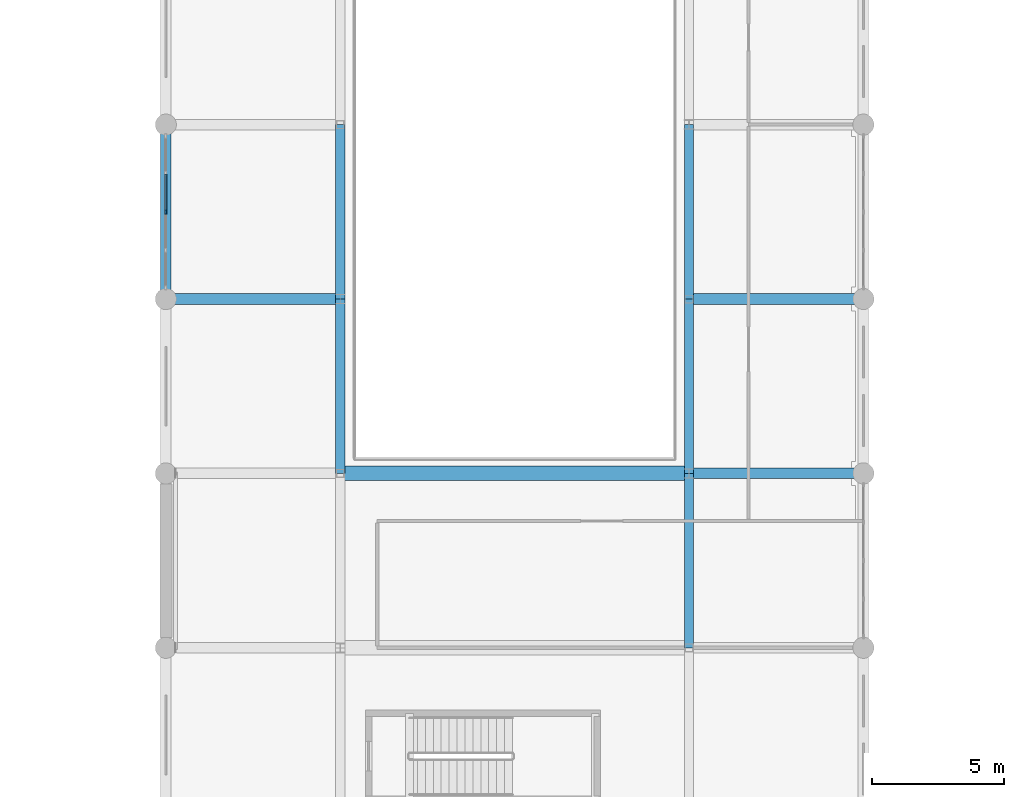
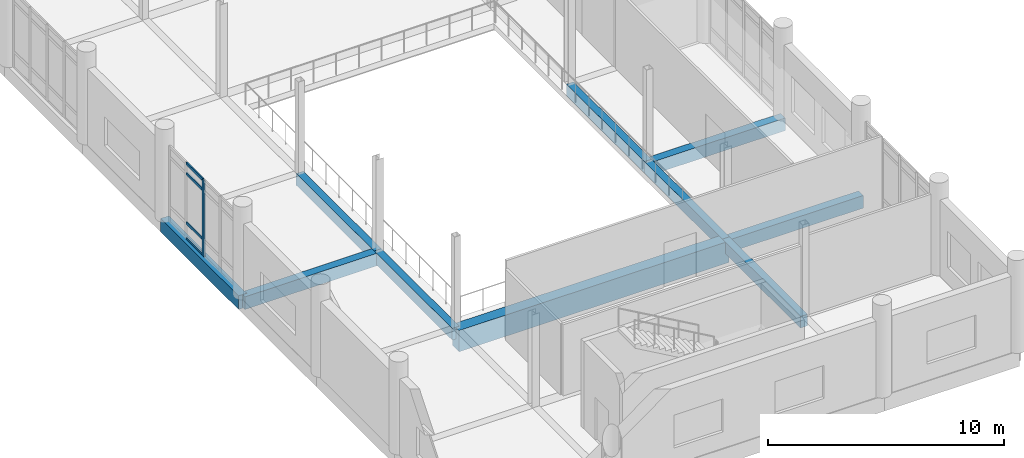
# One storey, part 14 of 101: 10 beams, 5 members, 1 element without a shape of its own.
"""IFC4 building model written with IfcOpenShell, lengths in metres."""

from ifc_helpers import new_model, si_unit, direction, frame, origin, origin_2d, place, context, subcontext, project, spatial, rectangle, extrude, material, material_profile, profile_set, type_object, element, aggregate, save


model = new_model("IFC4")

# Units and contexts
model_context = context("Model", 3, precision=1e-05, world=origin(), true_north=direction((0.0, 1.0)))
body_context = subcontext(model_context, "Body", "Model", "MODEL_VIEW")
ifc_project = project(units=[si_unit("LENGTHUNIT", "METRE"), si_unit("AREAUNIT", "SQUARE_METRE"), si_unit("VOLUMEUNIT", "CUBIC_METRE"), si_unit("PLANEANGLEUNIT", "RADIAN"), si_unit("MASSUNIT", "GRAM", prefix="KILO")], contexts=[model_context])

# Site, building, storey
site_placement = place(None, origin())
site = spatial("IfcSite", under=ifc_project, at=site_placement, CompositionType="ELEMENT")
building_placement = place(site_placement, origin())
building = spatial("IfcBuilding", under=site, at=building_placement, Name="Dornvale Research Institute", CompositionType="ELEMENT")
storey_placement = place(building_placement, frame((0.0, 0.0, 10.199951171875)))
storey = spatial("IfcBuildingStorey", under=building, at=storey_placement, Name="L02", CompositionType="ELEMENT", Elevation=10.199951171875)

# Beams
ifc_material_1 = material(Name="Concrete f'c 45 MPa (C35/45)", Category="concrete")
ifc_material_profile_1 = material_profile(ifc_material_1, rectangle(XDim=0.35009765625, YDim=0.60009765625, at=origin_2d()), Name="RC 350x600")
ifc_profile_set_1 = profile_set([ifc_material_profile_1], Name="Concrete f'c 45 MPa (C35/45)")
beam_type_1 = type_object("IfcBeamType", Name="Beam_RC350x600_Floor", PredefinedType="BEAM", material=ifc_profile_set_1)
beam_1_placement = place(storey_placement, frame((46.199951171875, 52.800048828125, -0.300048828125), z_axis=(0.0, 1.0, 0.0), x_axis=(-1.0, 0.0, 0.0)))
element("IfcBeam", 1, at=beam_1_placement, inside=storey, type_object=beam_type_1, Name="L02 transverse girder #814", PredefinedType="BEAM", context=body_context, shape_type="SweptSolid", body=[
    extrude(rectangle(XDim=0.35009765625, YDim=0.60009765625, at=origin_2d()), origin(), (0.0, 0.0, 1.0), 6.599853515625),
])
for number, where, z_axis, x_axis, name in (
    (2, (46.199951171875, 59.39990234375, -0.300048828125), (0.0, 1.0, 0.0), (-1.0, 0.0, 0.0), "L02 transverse girder #815"),
    (3, (59.39990234375, 46.199951171875, -0.300048828125), (0.0, 1.0, 0.0), (-1.0, 0.0, 0.0), "L02 transverse girder #820"),
):
    element("IfcBeam", number, at=place(storey_placement, frame(where, z_axis=z_axis, x_axis=x_axis)), inside=storey, type_object=beam_type_1, Name=name, PredefinedType="BEAM", context=body_context, shape_type="SweptSolid", body=[
        extrude(rectangle(XDim=0.35009765625, YDim=0.60009765625, at=origin_2d()), origin(), (0.0, 0.0, 1.0), 6.60009765625),
    ])
beam_2_placement = place(storey_placement, frame((59.39990234375, 52.800048828125, -0.300048828125), z_axis=(0.0, 1.0, 0.0), x_axis=(-1.0, 0.0, 0.0)))
element("IfcBeam", 4, at=beam_2_placement, inside=storey, type_object=beam_type_1, Name="L02 transverse girder #821", PredefinedType="BEAM", context=body_context, shape_type="SweptSolid", body=[
    extrude(rectangle(XDim=0.35009765625, YDim=0.60009765625, at=origin_2d()), origin(), (0.0, 0.0, 1.0), 6.599853515625),
])
beam_3_placement = place(storey_placement, frame((59.39990234375, 59.39990234375, -0.300048828125), z_axis=(0.0, 1.0, 0.0), x_axis=(-1.0, 0.0, 0.0)))
element("IfcBeam", 5, at=beam_3_placement, inside=storey, type_object=beam_type_1, Name="L02 transverse girder #822", PredefinedType="BEAM", context=body_context, shape_type="SweptSolid", body=[
    extrude(rectangle(XDim=0.35009765625, YDim=0.60009765625, at=origin_2d()), origin(), (0.0, 0.0, 1.0), 6.60009765625),
])
ifc_material_2 = material(Name="Concrete f'c 45 MPa (C35/45)", Category="concrete")
ifc_material_profile_2 = material_profile(ifc_material_2, rectangle(XDim=0.39990234375, YDim=0.64990234375, at=origin_2d()), Name="RC 400x650")
ifc_profile_set_2 = profile_set([ifc_material_profile_2], Name="Concrete f'c 45 MPa (C35/45)")
beam_type_2 = type_object("IfcBeamType", Name="Beam_RC400x650_Floor", PredefinedType="BEAM", material=ifc_profile_set_2)
beam_4_placement = place(storey_placement, frame((59.39990234375, 52.800048828125, -0.324951171875), z_axis=(1.0, 0.0, 0.0), x_axis=(0.0, 1.0, 0.0)))
element("IfcBeam", 6, at=beam_4_placement, inside=storey, type_object=beam_type_2, Name="L02 primary girder #791", PredefinedType="BEAM", context=body_context, shape_type="SweptSolid", body=[
    extrude(rectangle(XDim=0.39990234375, YDim=0.64990234375, at=origin_2d()), origin(), (0.0, 0.0, 1.0), 6.60009765625),
])
beam_5_placement = place(storey_placement, frame((39.60009765625, 59.39990234375, -0.324951171875), z_axis=(1.0, 0.0, 0.0), x_axis=(0.0, 1.0, 0.0)))
element("IfcBeam", 7, at=beam_5_placement, inside=storey, type_object=beam_type_2, Name="L02 primary girder #792", PredefinedType="BEAM", context=body_context, shape_type="SweptSolid", body=[
    extrude(rectangle(XDim=0.39990234375, YDim=0.64990234375, at=origin_2d()), origin(), (0.0, 0.0, 1.0), 6.599853515625),
])
beam_6_placement = place(storey_placement, frame((59.39990234375, 59.39990234375, -0.324951171875), z_axis=(1.0, 0.0, 0.0), x_axis=(0.0, 1.0, 0.0)))
element("IfcBeam", 8, at=beam_6_placement, inside=storey, type_object=beam_type_2, Name="L02 primary girder #793", PredefinedType="BEAM", context=body_context, shape_type="SweptSolid", body=[
    extrude(rectangle(XDim=0.39990234375, YDim=0.64990234375, at=origin_2d()), origin(), (0.0, 0.0, 1.0), 6.60009765625),
])
ifc_material_3 = material(Name="Concrete f'c 45 MPa (C35/45)", Category="concrete")
ifc_material_profile_3 = material_profile(ifc_material_3, rectangle(XDim=0.550048828125, YDim=1.10009765625, at=origin_2d()), Name="RC 550x1100")
ifc_profile_set_3 = profile_set([ifc_material_profile_3], Name="Concrete f'c 45 MPa (C35/45)")
beam_type_3 = type_object("IfcBeamType", Name="Beam_RC550x1100_Girder", PredefinedType="BEAM", material=ifc_profile_set_3)
beam_7_placement = place(storey_placement, frame((46.199951171875, 52.800048828125, -0.550048828125), z_axis=(1.0, 0.0, 0.0), x_axis=(0.0, 1.0, 0.0)))
element("IfcBeam", 9, at=beam_7_placement, inside=storey, type_object=beam_type_3, Name="L02 primary girder #790", PredefinedType="BEAM", context=body_context, shape_type="SweptSolid", body=[
    extrude(rectangle(XDim=0.550048828125, YDim=1.10009765625, at=origin_2d()), origin(), (0.0, 0.0, 1.0), 13.199951171875),
])

# Curtain wall, member
ifc_material_4 = material(Name="Low-E Argon Double Insulating Glazing Unit", Category="glass")
curtain_wall_type = type_object("IfcCurtainWallType", Name="UnitisedCurtainWall_V2_5810x3950", PredefinedType="USERDEFINED", material=ifc_material_4)
curtain_wall_placement = place(storey_placement, origin())
curtain_wall = element("IfcCurtainWall", 10, at=curtain_wall_placement, inside=storey, type_object=curtain_wall_type, Name="L02 V2 unitised curtain wall CW-02 #10", ObjectType="UNITISED CURTAIN WALL", PredefinedType="USERDEFINED")
ifc_material_5 = material(Name="Anodized Aluminum AA 6063-T6 Thermally Broken Frame", Category="aluminium")
ifc_material_profile_4 = material_profile(ifc_material_5, rectangle(XDim=0.06494140625, YDim=0.1650390625, at=origin_2d()), Name="ALU MULLION 65x165")
ifc_profile_set_4 = profile_set([ifc_material_profile_4], Name="Anodized Aluminum AA 6063-T6 Thermally Broken Frame")
member_type_1 = type_object("IfcMemberType", Name="Mullion_Atrium_65x165", PredefinedType="MULLION", material=ifc_profile_set_4)
member_1_placement = place(storey_placement, frame((39.60009765625, 62.699951171875, 0.0), z_axis=(0.0, 0.0, 1.0), x_axis=(-1.0, 0.0, 0.0)))
member_1 = element("IfcMember", 11, at=member_1_placement, type_object=member_type_1, Name="CW-02 mullion 3", PredefinedType="MULLION", context=body_context, shape_type="SweptSolid", body=[
    extrude(rectangle(XDim=0.06494140625, YDim=0.1650390625, at=origin_2d()), origin(), (0.0, 0.0, 1.0), 3.949951171875),
])

# Beam
ifc_material_6 = material(Name="Concrete f'c 45 MPa (C35/45)", Category="concrete")
ifc_material_profile_5 = material_profile(ifc_material_6, rectangle(XDim=0.39990234375, YDim=0.699951171875, at=origin_2d()), Name="RC 400x700")
ifc_profile_set_5 = profile_set([ifc_material_profile_5], Name="Concrete f'c 45 MPa (C35/45)")
beam_type_4 = type_object("IfcBeamType", Name="Spandrel_RC400x700_Ext", PredefinedType="SPANDREL", material=ifc_profile_set_5)
beam_8_placement = place(storey_placement, frame((39.60009765625, 59.39990234375, -0.349853515625), z_axis=(0.0, 1.0, 0.0), x_axis=(-1.0, 0.0, 0.0)))
element("IfcBeam", 12, at=beam_8_placement, inside=storey, type_object=beam_type_4, Name="L02 perimeter spandrel #808", PredefinedType="SPANDREL", context=body_context, shape_type="SweptSolid", body=[
    extrude(rectangle(XDim=0.39990234375, YDim=0.699951171875, at=origin_2d()), origin(), (0.0, 0.0, 1.0), 6.60009765625),
])

# Member
ifc_material_7 = material(Name="Anodized Aluminum AA 6063-T6 Thermally Broken Frame", Category="aluminium")
ifc_material_profile_6 = material_profile(ifc_material_7, rectangle(XDim=0.06494140625, YDim=0.135009765625, at=origin_2d()), Name="ALU TRANSOM 65x135")
ifc_profile_set_6 = profile_set([ifc_material_profile_6], Name="Anodized Aluminum AA 6063-T6 Thermally Broken Frame")
member_type_2 = type_object("IfcMemberType", Name="Transom_CW_65x135", PredefinedType="USERDEFINED", material=ifc_profile_set_6)
member_2_placement = place(storey_placement, frame((39.60009765625, 62.732421875, 0.032470703125), z_axis=(0.0, 1.0, 0.0), x_axis=(-1.0, 0.0, 0.0)))
member_2 = element("IfcMember", 13, at=member_2_placement, type_object=member_type_2, Name="CW-02 transom 3.1", ObjectType="TRANSOM", PredefinedType="USERDEFINED", context=body_context, shape_type="SweptSolid", body=[
    extrude(rectangle(XDim=0.06494140625, YDim=0.135009765625, at=origin_2d()), origin(), (0.0, 0.0, 1.0), 1.3876953125),
])

member_3_placement = place(storey_placement, frame((39.60009765625, 62.732421875, 0.85009765625), z_axis=(0.0, 1.0, 0.0), x_axis=(-1.0, 0.0, 0.0)))
member_3 = element("IfcMember", 14, at=member_3_placement, type_object=member_type_2, Name="CW-02 transom 3.2", ObjectType="TRANSOM", PredefinedType="USERDEFINED", context=body_context, shape_type="SweptSolid", body=[
    extrude(rectangle(XDim=0.06494140625, YDim=0.135009765625, at=origin_2d()), origin(), (0.0, 0.0, 1.0), 1.3876953125),
])

member_4_placement = place(storey_placement, frame((39.60009765625, 62.732421875, 3.400146484375), z_axis=(0.0, 1.0, 0.0), x_axis=(-1.0, 0.0, 0.0)))
member_4 = element("IfcMember", 15, at=member_4_placement, type_object=member_type_2, Name="CW-02 transom 3.3", ObjectType="TRANSOM", PredefinedType="USERDEFINED", context=body_context, shape_type="SweptSolid", body=[
    extrude(rectangle(XDim=0.06494140625, YDim=0.135009765625, at=origin_2d()), origin(), (0.0, 0.0, 1.0), 1.3876953125),
])

member_5_placement = place(storey_placement, frame((39.60009765625, 62.732421875, 3.91748046875), z_axis=(0.0, 1.0, 0.0), x_axis=(-1.0, 0.0, 0.0)))
member_5 = element("IfcMember", 16, at=member_5_placement, type_object=member_type_2, Name="CW-02 transom 3.4", ObjectType="TRANSOM", PredefinedType="USERDEFINED", context=body_context, shape_type="SweptSolid", body=[
    extrude(rectangle(XDim=0.06494140625, YDim=0.135009765625, at=origin_2d()), origin(), (0.0, 0.0, 1.0), 1.3876953125),
])

aggregate(curtain_wall, [member_1, member_2, member_3, member_4, member_5])

save(model, "model.ifc")
